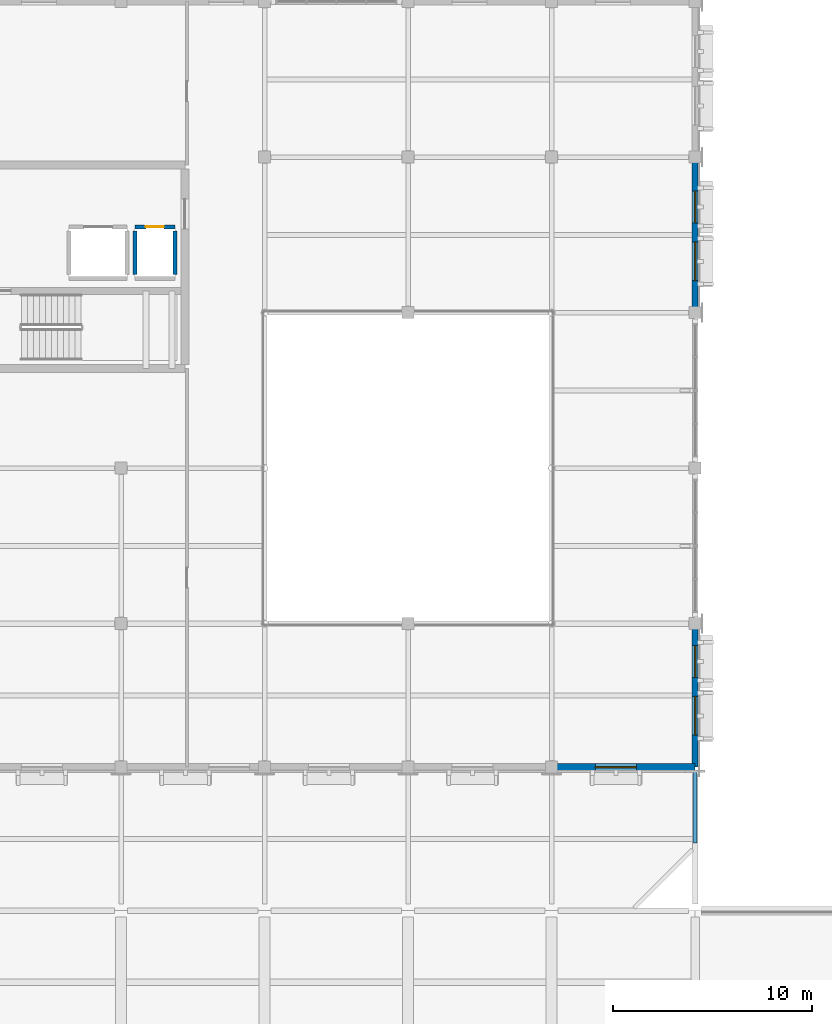
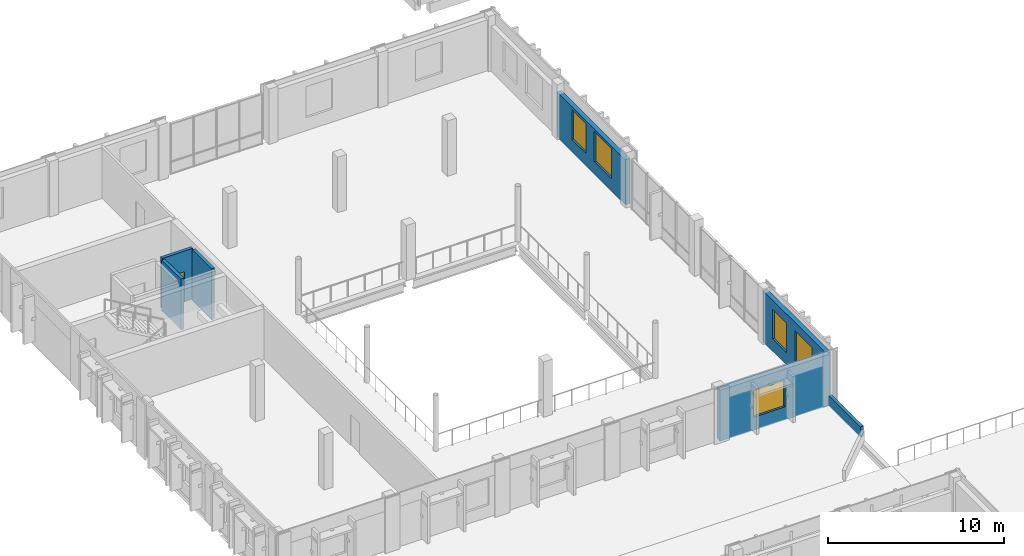
# One storey, part 40 of 64: 7 walls, 5 windows, 1 door, 6 openings.
"""IFC4 building model written with IfcOpenShell, lengths in metres."""

from ifc_helpers import new_model, si_unit, direction, frame, frame_2d, origin, place, context, subcontext, project, spatial, rectangle, extrude, material, layer, layer_set, type_object, element, fill, save


model = new_model("IFC4")

# Units and contexts
model_context = context("Model", 3, precision=1e-05, world=origin(), true_north=direction((0.0, 1.0)))
body_context = subcontext(model_context, "Body", "Model", "MODEL_VIEW")
ifc_project = project(units=[si_unit("LENGTHUNIT", "METRE"), si_unit("AREAUNIT", "SQUARE_METRE"), si_unit("VOLUMEUNIT", "CUBIC_METRE"), si_unit("PLANEANGLEUNIT", "RADIAN"), si_unit("MASSUNIT", "GRAM", prefix="KILO")], contexts=[model_context])

# Site, building, storey
site_placement = place(None, origin())
site = spatial("IfcSite", under=ifc_project, at=site_placement, CompositionType="ELEMENT")
building_placement = place(site_placement, origin())
building = spatial("IfcBuilding", under=site, at=building_placement, Name="Vervanel Yard Central Library", CompositionType="ELEMENT")
storey_placement = place(building_placement, frame((0.0, 0.0, 8.93994140625)))
storey = spatial("IfcBuildingStorey", under=building, at=storey_placement, Name="L02", CompositionType="ELEMENT", Elevation=8.93994140625)

# Wall, openings, windows
ifc_material_1 = material(Name="Precast concrete C45/55", Category="concrete")
ifc_layer_1 = layer(ifc_material_1, 0.300048828125, Category="concrete")
ifc_layer_set_1 = layer_set([ifc_layer_1], Name="Precast concrete C45/55")
wall_type_1 = type_object("IfcWallType", Name="Bush-Hammered Precast Cladding Wall 300", PredefinedType="SOLIDWALL", material=ifc_layer_set_1)
wall_1_placement = place(storey_placement, frame((36.0, 36.0, 0.0), z_axis=(0.0, 0.0, 1.0), x_axis=(0.0, 1.0, 0.0)))
wall_1 = element("IfcWall", 1, at=wall_1_placement, inside=storey, type_object=wall_type_1, Name="L02 Bush-Hammered Precast Cladding Wall 300 EWALL-L02-0117", PredefinedType="SOLIDWALL", context=body_context, shape_type="SweptSolid", body=[
    extrude(rectangle(XDim=7.199951171875, YDim=0.300048828125, at=frame_2d((3.60009765625, 0.0))), origin(), (0.0, 0.0, 1.0), 3.530029296875),
])
opening_1_placement = place(wall_1_placement, frame((1.60009765625, 0.0, 0.85009765625)))
opening_1 = element("IfcOpeningElement", 2, at=opening_1_placement, cuts=wall_1, Name="Opening WN-24", PredefinedType="OPENING", context=body_context, shape_type="SweptSolid", body=[
    extrude(rectangle(XDim=1.949951171875, YDim=2.10009765625, at=frame_2d((0.97509765625, 1.050048828125))), frame((0.0, 0.159912109375, 0.0), z_axis=(0.0, -1.0, 0.0), x_axis=(1.0, 0.0, 0.0)), (0.0, 0.0, 1.0), 0.320068359375),
])
opening_2_placement = place(wall_1_placement, frame((4.5, 0.0, 0.85009765625)))
opening_2 = element("IfcOpeningElement", 3, at=opening_2_placement, cuts=wall_1, Name="Opening WN-20", PredefinedType="OPENING", context=body_context, shape_type="SweptSolid", body=[
    extrude(rectangle(XDim=1.60009765625, YDim=2.050048828125, at=frame_2d((0.800048828125, 1.02490234375))), frame((0.0, 0.159912109375, 0.0), z_axis=(0.0, -1.0, 0.0), x_axis=(1.0, 0.0, 0.0)), (0.0, 0.0, 1.0), 0.320068359375),
])
ifc_material_2 = material(Name="Double low-E laminated solar-control glass", Category="glass")
window_type_1 = type_object("IfcWindowType", Name="Atrium Study Window 1950x2100", PartitioningType="SINGLE_PANEL", PredefinedType="WINDOW", material=ifc_material_2)
window_1_placement = place(opening_1_placement, origin())
window_1 = element("IfcWindow", 4, at=window_1_placement, inside=storey, type_object=window_type_1, Name="L02 Atrium Study Window 1950x2100 156", OverallHeight=2.10009765625, OverallWidth=1.949951171875, PartitioningType="SINGLE_PANEL", PredefinedType="WINDOW", context=body_context, shape_type="SweptSolid", body=[
    extrude(rectangle(XDim=1.949951171875, YDim=2.10009765625, at=frame_2d((0.97509765625, 1.050048828125))), frame((0.0, 0.030029296875, 0.0), z_axis=(0.0, -1.0, 0.0), x_axis=(1.0, 0.0, 0.0)), (0.0, 0.0, 1.0), 0.06005859375),
])
fill(opening_1, window_1)
window_type_2 = type_object("IfcWindowType", Name="Reading Courtyard Window 1600x2050", PartitioningType="SINGLE_PANEL", PredefinedType="WINDOW", material=ifc_material_2)
window_2_placement = place(opening_2_placement, origin())
window_2 = element("IfcWindow", 5, at=window_2_placement, inside=storey, type_object=window_type_2, Name="L02 Reading Courtyard Window 1600x2050 157", OverallHeight=2.050048828125, OverallWidth=1.60009765625, PartitioningType="SINGLE_PANEL", PredefinedType="WINDOW", context=body_context, shape_type="SweptSolid", body=[
    extrude(rectangle(XDim=1.60009765625, YDim=2.050048828125, at=frame_2d((0.800048828125, 1.02490234375))), frame((0.0, 0.030029296875, 0.0), z_axis=(0.0, -1.0, 0.0), x_axis=(1.0, 0.0, 0.0)), (0.0, 0.0, 1.0), 0.06005859375),
])
fill(opening_2, window_2)

wall_2_placement = place(storey_placement, frame((36.0, 58.800048828125, 0.0), z_axis=(0.0, 0.0, 1.0), x_axis=(0.0, 1.0, 0.0)))
wall_2 = element("IfcWall", 6, at=wall_2_placement, inside=storey, type_object=wall_type_1, Name="L02 Bush-Hammered Precast Cladding Wall 300 EWALL-L02-0118", PredefinedType="SOLIDWALL", context=body_context, shape_type="SweptSolid", body=[
    extrude(rectangle(XDim=7.800048828125, YDim=0.300048828125, at=frame_2d((3.89990234375, 0.0))), origin(), (0.0, 0.0, 1.0), 3.11767578125),
])
opening_3_placement = place(wall_2_placement, frame((1.60009765625, 0.0, 0.85009765625)))
opening_3 = element("IfcOpeningElement", 7, at=opening_3_placement, cuts=wall_2, Name="Opening WN-24", PredefinedType="OPENING", context=body_context, shape_type="SweptSolid", body=[
    extrude(rectangle(XDim=1.949951171875, YDim=2.10009765625, at=frame_2d((0.97509765625, 1.050048828125))), frame((0.0, 0.159912109375, 0.0), z_axis=(0.0, -1.0, 0.0), x_axis=(1.0, 0.0, 0.0)), (0.0, 0.0, 1.0), 0.320068359375),
])
opening_4_placement = place(wall_2_placement, frame((4.5, 0.0, 0.85009765625)))
opening_4 = element("IfcOpeningElement", 8, at=opening_4_placement, cuts=wall_2, Name="Opening WN-20", PredefinedType="OPENING", context=body_context, shape_type="SweptSolid", body=[
    extrude(rectangle(XDim=1.60009765625, YDim=2.050048828125, at=frame_2d((0.800048828125, 1.02490234375))), frame((0.0, 0.159912109375, 0.0), z_axis=(0.0, -1.0, 0.0), x_axis=(1.0, 0.0, 0.0)), (0.0, 0.0, 1.0), 0.320068359375),
])
window_3_placement = place(opening_3_placement, origin())
window_3 = element("IfcWindow", 9, at=window_3_placement, inside=storey, type_object=window_type_1, Name="L02 Atrium Study Window 1950x2100 158", OverallHeight=2.10009765625, OverallWidth=1.949951171875, PartitioningType="SINGLE_PANEL", PredefinedType="WINDOW", context=body_context, shape_type="SweptSolid", body=[
    extrude(rectangle(XDim=1.949951171875, YDim=2.10009765625, at=frame_2d((0.97509765625, 1.050048828125))), frame((0.0, 0.030029296875, 0.0), z_axis=(0.0, -1.0, 0.0), x_axis=(1.0, 0.0, 0.0)), (0.0, 0.0, 1.0), 0.06005859375),
])
fill(opening_3, window_3)
window_4_placement = place(opening_4_placement, origin())
window_4 = element("IfcWindow", 10, at=window_4_placement, inside=storey, type_object=window_type_2, Name="L02 Reading Courtyard Window 1600x2050 159", OverallHeight=2.050048828125, OverallWidth=1.60009765625, PartitioningType="SINGLE_PANEL", PredefinedType="WINDOW", context=body_context, shape_type="SweptSolid", body=[
    extrude(rectangle(XDim=1.60009765625, YDim=2.050048828125, at=frame_2d((0.800048828125, 1.02490234375))), frame((0.0, 0.030029296875, 0.0), z_axis=(0.0, -1.0, 0.0), x_axis=(1.0, 0.0, 0.0)), (0.0, 0.0, 1.0), 0.06005859375),
])
fill(opening_4, window_4)

# Wall, opening, window
ifc_material_3 = material(Name="Concrete C45/55", Category="concrete")
ifc_layer_2 = layer(ifc_material_3, 0.340087890625, Category="concrete")
ifc_layer_set_2 = layer_set([ifc_layer_2], Name="Concrete C45/55")
wall_type_2 = type_object("IfcWallType", Name="Exterior Bearing Concrete Frame Wall 340", PredefinedType="SOLIDWALL", material=ifc_layer_set_2)
wall_3_placement = place(storey_placement, frame((28.800048828125, 36.0, 0.0), z_axis=(0.0, 0.0, 1.0), x_axis=(1.0, 0.0, 0.0)))
wall_3 = element("IfcWall", 11, at=wall_3_placement, inside=storey, type_object=wall_type_2, Name="L02 Exterior Bearing Concrete Frame Wall 340 EWALL-L02-0128", PredefinedType="SOLIDWALL", context=body_context, shape_type="SweptSolid", body=[
    extrude(rectangle(XDim=7.199951171875, YDim=0.340087890625, at=frame_2d((3.60009765625, 0.0))), origin(), (0.0, 0.0, 1.0), 3.530029296875),
])
opening_5_placement = place(wall_3_placement, frame((2.199951171875, 0.0, 0.89990234375)))
opening_5 = element("IfcOpeningElement", 12, at=opening_5_placement, cuts=wall_3, Name="Opening WN-26", PredefinedType="OPENING", context=body_context, shape_type="SweptSolid", body=[
    extrude(rectangle(XDim=2.050048828125, YDim=1.85009765625, at=frame_2d((1.02490234375, 0.925048828125))), frame((0.0, 0.179931640625, 0.0), z_axis=(0.0, -1.0, 0.0), x_axis=(1.0, 0.0, 0.0)), (0.0, 0.0, 1.0), 0.360107421875),
])
window_type_3 = type_object("IfcWindowType", Name="Seminar Acoustic Window 2050x1850", PartitioningType="SINGLE_PANEL", PredefinedType="WINDOW", material=ifc_material_2)
window_5_placement = place(opening_5_placement, origin())
window_5 = element("IfcWindow", 13, at=window_5_placement, inside=storey, type_object=window_type_3, Name="L02 Seminar Acoustic Window 2050x1850 170", OverallHeight=1.85009765625, OverallWidth=2.050048828125, PartitioningType="SINGLE_PANEL", PredefinedType="WINDOW", context=body_context, shape_type="SweptSolid", body=[
    extrude(rectangle(XDim=2.050048828125, YDim=1.85009765625, at=frame_2d((1.02490234375, 0.925048828125))), frame((0.0, 0.030029296875, 0.0), z_axis=(0.0, -1.0, 0.0), x_axis=(1.0, 0.0, 0.0)), (0.0, 0.0, 1.0), 0.06005859375),
])
fill(opening_5, window_5)

# Wall
ifc_material_4 = material(Name="Concrete C40/50", Category="concrete")
ifc_layer_3 = layer(ifc_material_4, 0.199951171875, Category="concrete")
ifc_layer_set_3 = layer_set([ifc_layer_3], Name="Concrete C40/50")
wall_type_3 = type_object("IfcWallType", Name="Setback Roof Concrete Parapet 200", PredefinedType="PARAPET", material=ifc_layer_set_3)
wall_4_placement = place(storey_placement, frame((36.0, 32.199951171875, 0.0), z_axis=(0.0, 0.0, 1.0), x_axis=(0.0, 1.0, 0.0)))
element("IfcWall", 14, at=wall_4_placement, inside=storey, type_object=wall_type_3, Name="L02 Roof Parapet 8", PredefinedType="PARAPET", context=body_context, shape_type="SweptSolid", body=[
    extrude(rectangle(XDim=3.60009765625, YDim=0.199951171875, at=frame_2d((1.800048828125, 0.0))), origin(), (0.0, 0.0, 1.0), 0.719970703125),
])

# Wall, opening, door
ifc_layer_4 = layer(ifc_material_4, 0.199951171875, Category="concrete")
ifc_layer_set_4 = layer_set([ifc_layer_4], Name="Concrete C40/50")
wall_type_4 = type_object("IfcWallType", Name="Shaft & Plant Rated Wall 200", PredefinedType="PARTITIONING", material=ifc_layer_set_4)
wall_5_placement = place(storey_placement, frame((7.89990234375, 63.10009765625, 0.0), z_axis=(0.0, 0.0, 1.0), x_axis=(1.0, 0.0, 0.0)))
wall_5 = element("IfcWall", 15, at=wall_5_placement, inside=storey, type_object=wall_type_4, Name="L02 CORE-C-L02-RIS Shaft Wall N", PredefinedType="PARTITIONING", context=body_context, shape_type="SweptSolid", body=[
    extrude(rectangle(XDim=2.0, YDim=0.199951171875, at=frame_2d((1.0, 0.0))), origin(), (0.0, 0.0, 1.0), 3.530029296875),
])
opening_6_placement = place(wall_5_placement, frame((0.550048828125, 0.0, 0.0)))
opening_6 = element("IfcOpeningElement", 16, at=opening_6_placement, cuts=wall_5, Name="Opening DR-03", PredefinedType="OPENING", context=body_context, shape_type="SweptSolid", body=[
    extrude(rectangle(XDim=0.89990234375, YDim=2.10009765625, at=frame_2d((0.449951171875, 1.050048828125))), frame((0.0, 0.10986328125, 0.0), z_axis=(0.0, -1.0, 0.0), x_axis=(1.0, 0.0, 0.0)), (0.0, 0.0, 1.0), 0.219970703125),
])
ifc_material_5 = material(Name="Galvanized painted steelwork ASTM A500 Grade C", Category="steel")
door_type = type_object("IfcDoorType", Name="Interior Riser Access Door 900x2100", OperationType="NOTDEFINED", PredefinedType="DOOR", material=ifc_material_5)
door_placement = place(opening_6_placement, origin())
door = element("IfcDoor", 17, at=door_placement, inside=storey, type_object=door_type, Name="L02 CORE-C Riser Access Door", OperationType="SINGLE_SWING_LEFT", OverallHeight=2.10009765625, OverallWidth=0.89990234375, PredefinedType="DOOR", context=body_context, shape_type="SweptSolid", body=[
    extrude(rectangle(XDim=0.89990234375, YDim=2.10009765625, at=frame_2d((0.449951171875, 1.050048828125))), frame((0.0, 0.02490234375, 0.0), z_axis=(0.0, -1.0, 0.0), x_axis=(1.0, 0.0, 0.0)), (0.0, 0.0, 1.0), 0.050048828125),
])
fill(opening_6, door)

# Walls
for number, where, z_axis, x_axis, name in (
    (18, (7.89990234375, 60.699951171875, 0.0), (0.0, 0.0, 1.0), (0.0, 1.0, 0.0), "L02 CORE-C-L02-RIS Shaft Wall W"),
    (19, (9.89990234375, 60.699951171875, 0.0), (0.0, 0.0, 1.0), (0.0, 1.0, 0.0), "L02 CORE-C-L02-RIS Shaft Wall E"),
):
    element("IfcWall", number, at=place(storey_placement, frame(where, z_axis=z_axis, x_axis=x_axis)), inside=storey, type_object=wall_type_4, Name=name, PredefinedType="PARTITIONING", context=body_context, shape_type="SweptSolid", body=[
        extrude(rectangle(XDim=2.199951171875, YDim=0.199951171875, at=frame_2d((1.10009765625, 0.0))), origin(), (0.0, 0.0, 1.0), 3.530029296875),
    ])

save(model, "model.ifc")
